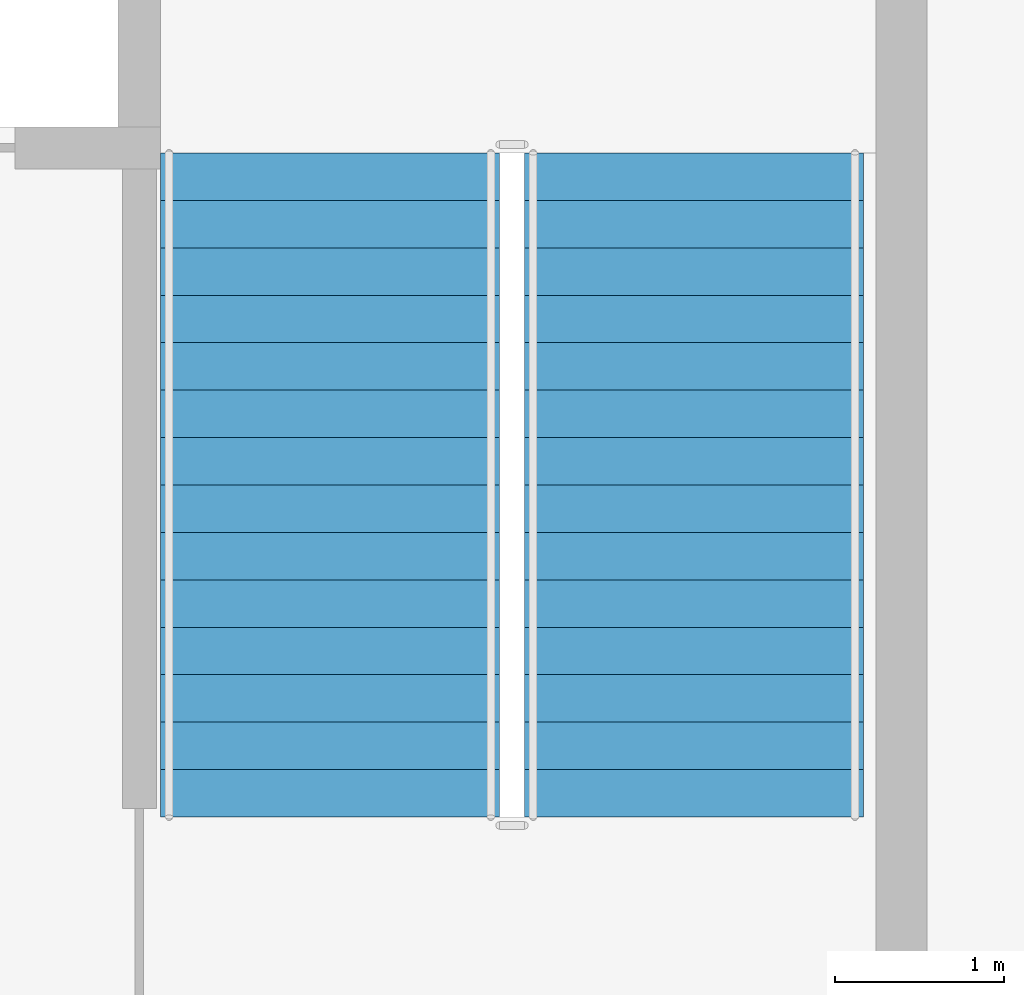
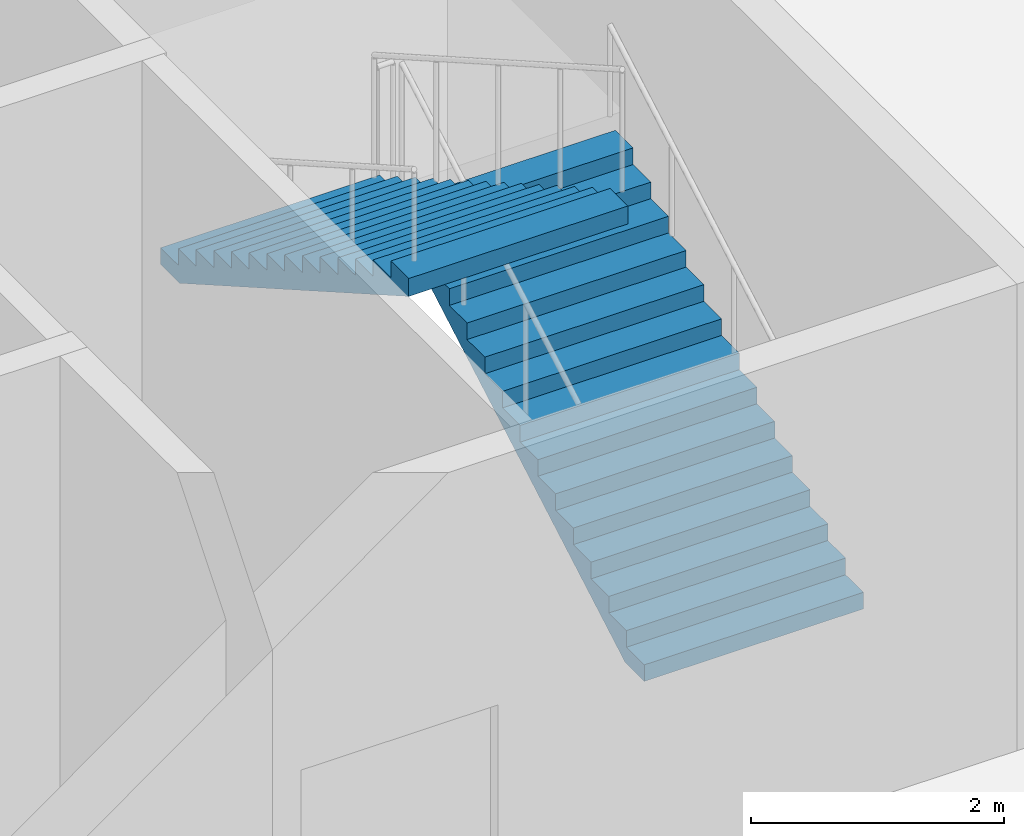
# One storey, part 10 of 13: 2 stair flights, 1 element without a shape of its own.
"""IFC4 building model written with IfcOpenShell, lengths in metres."""

from ifc_helpers import new_model, si_unit, direction, frame, origin, place, context, subcontext, project, spatial, polygons, material, type_object, element, aggregate, save


model = new_model("IFC4")

# Units and contexts
model_context = context("Model", 3, precision=1e-05, world=origin(), true_north=direction((0.0, 1.0)))
body_context = subcontext(model_context, "Body", "Model", "MODEL_VIEW")
ifc_project = project(units=[si_unit("LENGTHUNIT", "METRE"), si_unit("AREAUNIT", "SQUARE_METRE"), si_unit("VOLUMEUNIT", "CUBIC_METRE"), si_unit("PLANEANGLEUNIT", "RADIAN"), si_unit("MASSUNIT", "GRAM", prefix="KILO")], contexts=[model_context])

# Site, building, storey
site_placement = place(None, origin())
site = spatial("IfcSite", under=ifc_project, at=site_placement, CompositionType="ELEMENT")
building_placement = place(site_placement, origin())
building = spatial("IfcBuilding", under=site, at=building_placement, Name="Caravel Reach Hotel and Residences", CompositionType="ELEMENT")
storey_placement = place(building_placement, frame((0.0, 0.0, 28.800048828125)))
storey = spatial("IfcBuildingStorey", under=building, at=storey_placement, Name="L05", CompositionType="ELEMENT", Elevation=28.800048828125)

# Stair, stair flights
ifc_material_1 = material(Name="Concrete C40", Category="concrete")
stair_type = type_object("IfcStairType", Name="Core stair", PredefinedType="HALF_TURN_STAIR", material=ifc_material_1)
stair_placement = place(storey_placement, origin())
stair = element("IfcStair", 1, at=stair_placement, inside=storey, type_object=stair_type, Name="L05 Exit stair B", PredefinedType="HALF_TURN_STAIR")
ifc_material_2 = material(Name="Concrete C40", Category="concrete")
stair_flight_type = type_object("IfcStairFlightType", Name="Core stair flight", PredefinedType="STRAIGHT", material=ifc_material_2)
stair_flight_1_placement = place(storey_placement, frame((43.77490234375, 24.64990234375, 0.0), z_axis=(0.0, 0.0, 1.0), x_axis=(0.0, 1.0, 0.0)))
stair_flight_1 = element("IfcStairFlight", 2, at=stair_flight_1_placement, type_object=stair_flight_type, Name="ST-B flight 1", NumberOfRisers=15, NumberOfTreads=14, PredefinedType="STRAIGHT", RiserHeight=0.16, TreadLength=0.28, context=body_context, shape_type="Tessellation", body=[
    polygons([(0.30213783309663755, 1.0, 0.0), (0.30213783309663755, 0.6666666666666667, 0.0), (0.30213783309663755, 0.33333333333333337, 0.0), (0.30213783309663755, 0.0, 0.0), (0.30213783309663755, -0.33333333333333326, 0.0), (0.30213783309663755, -0.6666666666666667, 0.0), (0.30213783309663755, -1.0, 0.0), (3.9210000000000003, 1.0, 2.0673498096590643), (3.9210000000000003, 0.6666666666666667, 2.0673498096590643), (3.9210000000000003, 0.33333333333333337, 2.0673498096590643), (3.9210000000000003, 0.0, 2.0673498096590643), (3.9210000000000003, -0.33333333333333326, 2.0673498096590643), (3.9210000000000003, -0.6666666666666667, 2.0673498096590643), (3.9210000000000003, -1.0, 2.0673498096590643), (3.9210000000000003, 1.0, 2.24), (3.9210000000000003, 0.6666666666666667, 2.24), (3.9210000000000003, 0.33333333333333337, 2.24), (3.9210000000000003, 0.0, 2.24), (3.9210000000000003, -0.33333333333333326, 2.24), (3.9210000000000003, -0.6666666666666667, 2.24), (3.9210000000000003, -1.0, 2.24), (3.6400000000000006, 1.0, 2.24), (3.6400000000000006, 0.6666666666666667, 2.24), (3.6400000000000006, 0.33333333333333337, 2.24), (3.6400000000000006, 0.0, 2.24), (3.6400000000000006, -0.33333333333333326, 2.24), (3.6400000000000006, -0.6666666666666667, 2.24), (3.6400000000000006, -1.0, 2.24), (3.6400000000000006, 1.0, 2.08), (3.6400000000000006, 0.6666666666666667, 2.08), (3.6400000000000006, 0.33333333333333337, 2.08), (3.6400000000000006, 0.0, 2.08), (3.6400000000000006, -0.33333333333333326, 2.08), (3.6400000000000006, -0.6666666666666667, 2.08), (3.6400000000000006, -1.0, 2.08), (3.3600000000000003, 1.0, 2.08), (3.3600000000000003, 0.6666666666666667, 2.08), (3.3600000000000003, 0.33333333333333337, 2.08), (3.3600000000000003, 0.0, 2.08), (3.3600000000000003, -0.33333333333333326, 2.08), (3.3600000000000003, -0.6666666666666667, 2.08), (3.3600000000000003, -1.0, 2.08), (3.3600000000000003, 1.0, 1.92), (3.3600000000000003, 0.6666666666666667, 1.92), (3.3600000000000003, 0.33333333333333337, 1.92), (3.3600000000000003, 0.0, 1.92), (3.3600000000000003, -0.33333333333333326, 1.92), (3.3600000000000003, -0.6666666666666667, 1.92), (3.3600000000000003, -1.0, 1.92), (3.08, 1.0, 1.92), (3.08, 0.6666666666666667, 1.92), (3.08, 0.33333333333333337, 1.92), (3.08, 0.0, 1.92), (3.08, -0.33333333333333326, 1.92), (3.08, -0.6666666666666667, 1.92), (3.08, -1.0, 1.92), (3.08, 1.0, 1.76), (3.08, 0.6666666666666667, 1.76), (3.08, 0.33333333333333337, 1.76), (3.08, 0.0, 1.76), (3.08, -0.33333333333333326, 1.76), (3.08, -0.6666666666666667, 1.76), (3.08, -1.0, 1.76), (2.8000000000000003, 1.0, 1.76), (2.8000000000000003, 0.6666666666666667, 1.76), (2.8000000000000003, 0.33333333333333337, 1.76), (2.8000000000000003, 0.0, 1.76), (2.8000000000000003, -0.33333333333333326, 1.76), (2.8000000000000003, -0.6666666666666667, 1.76), (2.8000000000000003, -1.0, 1.76), (2.8000000000000003, 1.0, 1.6), (2.8000000000000003, 0.6666666666666667, 1.6), (2.8000000000000003, 0.33333333333333337, 1.6), (2.8000000000000003, 0.0, 1.6), (2.8000000000000003, -0.33333333333333326, 1.6), (2.8000000000000003, -0.6666666666666667, 1.6), (2.8000000000000003, -1.0, 1.6), (2.5200000000000005, 1.0, 1.6), (2.5200000000000005, 0.6666666666666667, 1.6), (2.5200000000000005, 0.33333333333333337, 1.6), (2.5200000000000005, 0.0, 1.6), (2.5200000000000005, -0.33333333333333326, 1.6), (2.5200000000000005, -0.6666666666666667, 1.6), (2.5200000000000005, -1.0, 1.6), (2.5200000000000005, 1.0, 1.44), (2.5200000000000005, 0.6666666666666667, 1.44), (2.5200000000000005, 0.33333333333333337, 1.44), (2.5200000000000005, 0.0, 1.44), (2.5200000000000005, -0.33333333333333326, 1.44), (2.5200000000000005, -0.6666666666666667, 1.44), (2.5200000000000005, -1.0, 1.44), (2.24, 1.0, 1.44), (2.24, 0.6666666666666667, 1.44), (2.24, 0.33333333333333337, 1.44), (2.24, 0.0, 1.44), (2.24, -0.33333333333333326, 1.44), (2.24, -0.6666666666666667, 1.44), (2.24, -1.0, 1.44), (2.24, 1.0, 1.28), (2.24, 0.6666666666666667, 1.28), (2.24, 0.33333333333333337, 1.28), (2.24, 0.0, 1.28), (2.24, -0.33333333333333326, 1.28), (2.24, -0.6666666666666667, 1.28), (2.24, -1.0, 1.28), (1.9600000000000002, 1.0, 1.28), (1.9600000000000002, 0.6666666666666667, 1.28), (1.9600000000000002, 0.33333333333333337, 1.28), (1.9600000000000002, 0.0, 1.28), (1.9600000000000002, -0.33333333333333326, 1.28), (1.9600000000000002, -0.6666666666666667, 1.28), (1.9600000000000002, -1.0, 1.28), (1.9600000000000002, 1.0, 1.12), (1.9600000000000002, 0.6666666666666667, 1.12), (1.9600000000000002, 0.33333333333333337, 1.12), (1.9600000000000002, 0.0, 1.12), (1.9600000000000002, -0.33333333333333326, 1.12), (1.9600000000000002, -0.6666666666666667, 1.12), (1.9600000000000002, -1.0, 1.12), (1.6800000000000002, 1.0, 1.12), (1.6800000000000002, 0.6666666666666667, 1.12), (1.6800000000000002, 0.33333333333333337, 1.12), (1.6800000000000002, 0.0, 1.12), (1.6800000000000002, -0.33333333333333326, 1.12), (1.6800000000000002, -0.6666666666666667, 1.12), (1.6800000000000002, -1.0, 1.12), (1.6800000000000002, 1.0, 0.96), (1.6800000000000002, 0.6666666666666667, 0.96), (1.6800000000000002, 0.33333333333333337, 0.96), (1.6800000000000002, 0.0, 0.96), (1.6800000000000002, -0.33333333333333326, 0.96), (1.6800000000000002, -0.6666666666666667, 0.96), (1.6800000000000002, -1.0, 0.96), (1.4000000000000001, 1.0, 0.96), (1.4000000000000001, 0.6666666666666667, 0.96), (1.4000000000000001, 0.33333333333333337, 0.96), (1.4000000000000001, 0.0, 0.96), (1.4000000000000001, -0.33333333333333326, 0.96), (1.4000000000000001, -0.6666666666666667, 0.96), (1.4000000000000001, -1.0, 0.96), (1.4000000000000001, 1.0, 0.8), (1.4000000000000001, 0.6666666666666667, 0.8), (1.4000000000000001, 0.33333333333333337, 0.8), (1.4000000000000001, 0.0, 0.8), (1.4000000000000001, -0.33333333333333326, 0.8), (1.4000000000000001, -0.6666666666666667, 0.8), (1.4000000000000001, -1.0, 0.8), (1.12, 1.0, 0.8), (1.12, 0.6666666666666667, 0.8), (1.12, 0.33333333333333337, 0.8), (1.12, 0.0, 0.8), (1.12, -0.33333333333333326, 0.8), (1.12, -0.6666666666666667, 0.8), (1.12, -1.0, 0.8), (1.12, 1.0, 0.64), (1.12, 0.6666666666666667, 0.64), (1.12, 0.33333333333333337, 0.64), (1.12, 0.0, 0.64), (1.12, -0.33333333333333326, 0.64), (1.12, -0.6666666666666667, 0.64), (1.12, -1.0, 0.64), (0.8400000000000001, 1.0, 0.64), (0.8400000000000001, 0.6666666666666667, 0.64), (0.8400000000000001, 0.33333333333333337, 0.64), (0.8400000000000001, 0.0, 0.64), (0.8400000000000001, -0.33333333333333326, 0.64), (0.8400000000000001, -0.6666666666666667, 0.64), (0.8400000000000001, -1.0, 0.64), (0.8400000000000001, 1.0, 0.48), (0.8400000000000001, 0.6666666666666667, 0.48), (0.8400000000000001, 0.33333333333333337, 0.48), (0.8400000000000001, 0.0, 0.48), (0.8400000000000001, -0.33333333333333326, 0.48), (0.8400000000000001, -0.6666666666666667, 0.48), (0.8400000000000001, -1.0, 0.48), (0.56, 1.0, 0.48), (0.56, 0.6666666666666667, 0.48), (0.56, 0.33333333333333337, 0.48), (0.56, 0.0, 0.48), (0.56, -0.33333333333333326, 0.48), (0.56, -0.6666666666666667, 0.48), (0.56, -1.0, 0.48), (0.56, 1.0, 0.32), (0.56, 0.6666666666666667, 0.32), (0.56, 0.33333333333333337, 0.32), (0.56, 0.0, 0.32), (0.56, -0.33333333333333326, 0.32), (0.56, -0.6666666666666667, 0.32), (0.56, -1.0, 0.32), (0.28, 1.0, 0.32), (0.28, 0.6666666666666667, 0.32), (0.28, 0.33333333333333337, 0.32), (0.28, 0.0, 0.32), (0.28, -0.33333333333333326, 0.32), (0.28, -0.6666666666666667, 0.32), (0.28, -1.0, 0.32), (0.28, 1.0, 0.16), (0.28, 0.6666666666666667, 0.16), (0.28, 0.33333333333333337, 0.16), (0.28, 0.0, 0.16), (0.28, -0.33333333333333326, 0.16), (0.28, -0.6666666666666667, 0.16), (0.28, -1.0, 0.16), (-0.001, 1.0, 0.16), (-0.001, 0.6666666666666667, 0.16), (-0.001, 0.33333333333333337, 0.16), (-0.001, 0.0, 0.16), (-0.001, -0.33333333333333326, 0.16), (-0.001, -0.6666666666666667, 0.16), (-0.001, -1.0, 0.16), (-0.001, 1.0, 0.0), (-0.001, 0.6666666666666667, 0.0), (-0.001, 0.33333333333333337, 0.0), (-0.001, 0.0, 0.0), (-0.001, -0.33333333333333326, 0.0), (-0.001, -0.6666666666666667, 0.0), (-0.001, -1.0, 0.0)], [[[211, 204, 197, 190, 183, 176, 169, 162, 155, 148, 141, 134, 127, 120, 113, 106, 99, 92, 85, 78, 71, 64, 57, 50, 43, 36, 29, 22, 15, 8, 1]], [[7, 14, 21, 28, 35, 42, 49, 56, 63, 70, 77, 84, 91, 98, 105, 112, 119, 126, 133, 140, 147, 154, 161, 168, 175, 182, 189, 196, 203, 210, 217]], [[1, 8, 9, 2]], [[2, 9, 10, 3]], [[3, 10, 11, 4]], [[4, 11, 12, 5]], [[5, 12, 13, 6]], [[6, 13, 14, 7]], [[8, 15, 16, 9]], [[9, 16, 17, 10]], [[10, 17, 18, 11]], [[11, 18, 19, 12]], [[12, 19, 20, 13]], [[13, 20, 21, 14]], [[15, 22, 23, 16]], [[16, 23, 24, 17]], [[17, 24, 25, 18]], [[18, 25, 26, 19]], [[19, 26, 27, 20]], [[20, 27, 28, 21]], [[22, 29, 30, 23]], [[23, 30, 31, 24]], [[24, 31, 32, 25]], [[25, 32, 33, 26]], [[26, 33, 34, 27]], [[27, 34, 35, 28]], [[29, 36, 37, 30]], [[30, 37, 38, 31]], [[31, 38, 39, 32]], [[32, 39, 40, 33]], [[33, 40, 41, 34]], [[34, 41, 42, 35]], [[36, 43, 44, 37]], [[37, 44, 45, 38]], [[38, 45, 46, 39]], [[39, 46, 47, 40]], [[40, 47, 48, 41]], [[41, 48, 49, 42]], [[43, 50, 51, 44]], [[44, 51, 52, 45]], [[45, 52, 53, 46]], [[46, 53, 54, 47]], [[47, 54, 55, 48]], [[48, 55, 56, 49]], [[50, 57, 58, 51]], [[51, 58, 59, 52]], [[52, 59, 60, 53]], [[53, 60, 61, 54]], [[54, 61, 62, 55]], [[55, 62, 63, 56]], [[57, 64, 65, 58]], [[58, 65, 66, 59]], [[59, 66, 67, 60]], [[60, 67, 68, 61]], [[61, 68, 69, 62]], [[62, 69, 70, 63]], [[64, 71, 72, 65]], [[65, 72, 73, 66]], [[66, 73, 74, 67]], [[67, 74, 75, 68]], [[68, 75, 76, 69]], [[69, 76, 77, 70]], [[71, 78, 79, 72]], [[72, 79, 80, 73]], [[73, 80, 81, 74]], [[74, 81, 82, 75]], [[75, 82, 83, 76]], [[76, 83, 84, 77]], [[78, 85, 86, 79]], [[79, 86, 87, 80]], [[80, 87, 88, 81]], [[81, 88, 89, 82]], [[82, 89, 90, 83]], [[83, 90, 91, 84]], [[85, 92, 93, 86]], [[86, 93, 94, 87]], [[87, 94, 95, 88]], [[88, 95, 96, 89]], [[89, 96, 97, 90]], [[90, 97, 98, 91]], [[92, 99, 100, 93]], [[93, 100, 101, 94]], [[94, 101, 102, 95]], [[95, 102, 103, 96]], [[96, 103, 104, 97]], [[97, 104, 105, 98]], [[99, 106, 107, 100]], [[100, 107, 108, 101]], [[101, 108, 109, 102]], [[102, 109, 110, 103]], [[103, 110, 111, 104]], [[104, 111, 112, 105]], [[106, 113, 114, 107]], [[107, 114, 115, 108]], [[108, 115, 116, 109]], [[109, 116, 117, 110]], [[110, 117, 118, 111]], [[111, 118, 119, 112]], [[113, 120, 121, 114]], [[114, 121, 122, 115]], [[115, 122, 123, 116]], [[116, 123, 124, 117]], [[117, 124, 125, 118]], [[118, 125, 126, 119]], [[120, 127, 128, 121]], [[121, 128, 129, 122]], [[122, 129, 130, 123]], [[123, 130, 131, 124]], [[124, 131, 132, 125]], [[125, 132, 133, 126]], [[127, 134, 135, 128]], [[128, 135, 136, 129]], [[129, 136, 137, 130]], [[130, 137, 138, 131]], [[131, 138, 139, 132]], [[132, 139, 140, 133]], [[134, 141, 142, 135]], [[135, 142, 143, 136]], [[136, 143, 144, 137]], [[137, 144, 145, 138]], [[138, 145, 146, 139]], [[139, 146, 147, 140]], [[141, 148, 149, 142]], [[142, 149, 150, 143]], [[143, 150, 151, 144]], [[144, 151, 152, 145]], [[145, 152, 153, 146]], [[146, 153, 154, 147]], [[148, 155, 156, 149]], [[149, 156, 157, 150]], [[150, 157, 158, 151]], [[151, 158, 159, 152]], [[152, 159, 160, 153]], [[153, 160, 161, 154]], [[155, 162, 163, 156]], [[156, 163, 164, 157]], [[157, 164, 165, 158]], [[158, 165, 166, 159]], [[159, 166, 167, 160]], [[160, 167, 168, 161]], [[162, 169, 170, 163]], [[163, 170, 171, 164]], [[164, 171, 172, 165]], [[165, 172, 173, 166]], [[166, 173, 174, 167]], [[167, 174, 175, 168]], [[169, 176, 177, 170]], [[170, 177, 178, 171]], [[171, 178, 179, 172]], [[172, 179, 180, 173]], [[173, 180, 181, 174]], [[174, 181, 182, 175]], [[176, 183, 184, 177]], [[177, 184, 185, 178]], [[178, 185, 186, 179]], [[179, 186, 187, 180]], [[180, 187, 188, 181]], [[181, 188, 189, 182]], [[183, 190, 191, 184]], [[184, 191, 192, 185]], [[185, 192, 193, 186]], [[186, 193, 194, 187]], [[187, 194, 195, 188]], [[188, 195, 196, 189]], [[190, 197, 198, 191]], [[191, 198, 199, 192]], [[192, 199, 200, 193]], [[193, 200, 201, 194]], [[194, 201, 202, 195]], [[195, 202, 203, 196]], [[197, 204, 205, 198]], [[198, 205, 206, 199]], [[199, 206, 207, 200]], [[200, 207, 208, 201]], [[201, 208, 209, 202]], [[202, 209, 210, 203]], [[204, 211, 212, 205]], [[205, 212, 213, 206]], [[206, 213, 214, 207]], [[207, 214, 215, 208]], [[208, 215, 216, 209]], [[209, 216, 217, 210]], [[211, 1, 2, 212]], [[212, 2, 3, 213]], [[213, 3, 4, 214]], [[214, 4, 5, 215]], [[215, 5, 6, 216]], [[216, 6, 7, 217]]], closed=True),
])
stair_flight_2_placement = place(storey_placement, frame((41.625, 28.570068359375, 2.39990234375), z_axis=(0.0, 0.0, 1.0), x_axis=(0.0, -1.0, 0.0)))
stair_flight_2 = element("IfcStairFlight", 3, at=stair_flight_2_placement, type_object=stair_flight_type, Name="ST-B flight 2", NumberOfRisers=15, NumberOfTreads=14, PredefinedType="STRAIGHT", RiserHeight=0.16, TreadLength=0.28, context=body_context, shape_type="Tessellation", body=[
    polygons([(0.30213783309663755, 1.0, 0.0), (0.30213783309663755, 0.6666666666666667, 0.0), (0.30213783309663755, 0.33333333333333337, 0.0), (0.30213783309663755, 0.0, 0.0), (0.30213783309663755, -0.33333333333333326, 0.0), (0.30213783309663755, -0.6666666666666667, 0.0), (0.30213783309663755, -1.0, 0.0), (3.9210000000000003, 1.0, 2.0673498096590643), (3.9210000000000003, 0.6666666666666667, 2.0673498096590643), (3.9210000000000003, 0.33333333333333337, 2.0673498096590643), (3.9210000000000003, 0.0, 2.0673498096590643), (3.9210000000000003, -0.33333333333333326, 2.0673498096590643), (3.9210000000000003, -0.6666666666666667, 2.0673498096590643), (3.9210000000000003, -1.0, 2.0673498096590643), (3.9210000000000003, 1.0, 2.24), (3.9210000000000003, 0.6666666666666667, 2.24), (3.9210000000000003, 0.33333333333333337, 2.24), (3.9210000000000003, 0.0, 2.24), (3.9210000000000003, -0.33333333333333326, 2.24), (3.9210000000000003, -0.6666666666666667, 2.24), (3.9210000000000003, -1.0, 2.24), (3.6400000000000006, 1.0, 2.24), (3.6400000000000006, 0.6666666666666667, 2.24), (3.6400000000000006, 0.33333333333333337, 2.24), (3.6400000000000006, 0.0, 2.24), (3.6400000000000006, -0.33333333333333326, 2.24), (3.6400000000000006, -0.6666666666666667, 2.24), (3.6400000000000006, -1.0, 2.24), (3.6400000000000006, 1.0, 2.08), (3.6400000000000006, 0.6666666666666667, 2.08), (3.6400000000000006, 0.33333333333333337, 2.08), (3.6400000000000006, 0.0, 2.08), (3.6400000000000006, -0.33333333333333326, 2.08), (3.6400000000000006, -0.6666666666666667, 2.08), (3.6400000000000006, -1.0, 2.08), (3.3600000000000003, 1.0, 2.08), (3.3600000000000003, 0.6666666666666667, 2.08), (3.3600000000000003, 0.33333333333333337, 2.08), (3.3600000000000003, 0.0, 2.08), (3.3600000000000003, -0.33333333333333326, 2.08), (3.3600000000000003, -0.6666666666666667, 2.08), (3.3600000000000003, -1.0, 2.08), (3.3600000000000003, 1.0, 1.92), (3.3600000000000003, 0.6666666666666667, 1.92), (3.3600000000000003, 0.33333333333333337, 1.92), (3.3600000000000003, 0.0, 1.92), (3.3600000000000003, -0.33333333333333326, 1.92), (3.3600000000000003, -0.6666666666666667, 1.92), (3.3600000000000003, -1.0, 1.92), (3.08, 1.0, 1.92), (3.08, 0.6666666666666667, 1.92), (3.08, 0.33333333333333337, 1.92), (3.08, 0.0, 1.92), (3.08, -0.33333333333333326, 1.92), (3.08, -0.6666666666666667, 1.92), (3.08, -1.0, 1.92), (3.08, 1.0, 1.76), (3.08, 0.6666666666666667, 1.76), (3.08, 0.33333333333333337, 1.76), (3.08, 0.0, 1.76), (3.08, -0.33333333333333326, 1.76), (3.08, -0.6666666666666667, 1.76), (3.08, -1.0, 1.76), (2.8000000000000003, 1.0, 1.76), (2.8000000000000003, 0.6666666666666667, 1.76), (2.8000000000000003, 0.33333333333333337, 1.76), (2.8000000000000003, 0.0, 1.76), (2.8000000000000003, -0.33333333333333326, 1.76), (2.8000000000000003, -0.6666666666666667, 1.76), (2.8000000000000003, -1.0, 1.76), (2.8000000000000003, 1.0, 1.6), (2.8000000000000003, 0.6666666666666667, 1.6), (2.8000000000000003, 0.33333333333333337, 1.6), (2.8000000000000003, 0.0, 1.6), (2.8000000000000003, -0.33333333333333326, 1.6), (2.8000000000000003, -0.6666666666666667, 1.6), (2.8000000000000003, -1.0, 1.6), (2.5200000000000005, 1.0, 1.6), (2.5200000000000005, 0.6666666666666667, 1.6), (2.5200000000000005, 0.33333333333333337, 1.6), (2.5200000000000005, 0.0, 1.6), (2.5200000000000005, -0.33333333333333326, 1.6), (2.5200000000000005, -0.6666666666666667, 1.6), (2.5200000000000005, -1.0, 1.6), (2.5200000000000005, 1.0, 1.44), (2.5200000000000005, 0.6666666666666667, 1.44), (2.5200000000000005, 0.33333333333333337, 1.44), (2.5200000000000005, 0.0, 1.44), (2.5200000000000005, -0.33333333333333326, 1.44), (2.5200000000000005, -0.6666666666666667, 1.44), (2.5200000000000005, -1.0, 1.44), (2.24, 1.0, 1.44), (2.24, 0.6666666666666667, 1.44), (2.24, 0.33333333333333337, 1.44), (2.24, 0.0, 1.44), (2.24, -0.33333333333333326, 1.44), (2.24, -0.6666666666666667, 1.44), (2.24, -1.0, 1.44), (2.24, 1.0, 1.28), (2.24, 0.6666666666666667, 1.28), (2.24, 0.33333333333333337, 1.28), (2.24, 0.0, 1.28), (2.24, -0.33333333333333326, 1.28), (2.24, -0.6666666666666667, 1.28), (2.24, -1.0, 1.28), (1.9600000000000002, 1.0, 1.28), (1.9600000000000002, 0.6666666666666667, 1.28), (1.9600000000000002, 0.33333333333333337, 1.28), (1.9600000000000002, 0.0, 1.28), (1.9600000000000002, -0.33333333333333326, 1.28), (1.9600000000000002, -0.6666666666666667, 1.28), (1.9600000000000002, -1.0, 1.28), (1.9600000000000002, 1.0, 1.12), (1.9600000000000002, 0.6666666666666667, 1.12), (1.9600000000000002, 0.33333333333333337, 1.12), (1.9600000000000002, 0.0, 1.12), (1.9600000000000002, -0.33333333333333326, 1.12), (1.9600000000000002, -0.6666666666666667, 1.12), (1.9600000000000002, -1.0, 1.12), (1.6800000000000002, 1.0, 1.12), (1.6800000000000002, 0.6666666666666667, 1.12), (1.6800000000000002, 0.33333333333333337, 1.12), (1.6800000000000002, 0.0, 1.12), (1.6800000000000002, -0.33333333333333326, 1.12), (1.6800000000000002, -0.6666666666666667, 1.12), (1.6800000000000002, -1.0, 1.12), (1.6800000000000002, 1.0, 0.96), (1.6800000000000002, 0.6666666666666667, 0.96), (1.6800000000000002, 0.33333333333333337, 0.96), (1.6800000000000002, 0.0, 0.96), (1.6800000000000002, -0.33333333333333326, 0.96), (1.6800000000000002, -0.6666666666666667, 0.96), (1.6800000000000002, -1.0, 0.96), (1.4000000000000001, 1.0, 0.96), (1.4000000000000001, 0.6666666666666667, 0.96), (1.4000000000000001, 0.33333333333333337, 0.96), (1.4000000000000001, 0.0, 0.96), (1.4000000000000001, -0.33333333333333326, 0.96), (1.4000000000000001, -0.6666666666666667, 0.96), (1.4000000000000001, -1.0, 0.96), (1.4000000000000001, 1.0, 0.8), (1.4000000000000001, 0.6666666666666667, 0.8), (1.4000000000000001, 0.33333333333333337, 0.8), (1.4000000000000001, 0.0, 0.8), (1.4000000000000001, -0.33333333333333326, 0.8), (1.4000000000000001, -0.6666666666666667, 0.8), (1.4000000000000001, -1.0, 0.8), (1.12, 1.0, 0.8), (1.12, 0.6666666666666667, 0.8), (1.12, 0.33333333333333337, 0.8), (1.12, 0.0, 0.8), (1.12, -0.33333333333333326, 0.8), (1.12, -0.6666666666666667, 0.8), (1.12, -1.0, 0.8), (1.12, 1.0, 0.64), (1.12, 0.6666666666666667, 0.64), (1.12, 0.33333333333333337, 0.64), (1.12, 0.0, 0.64), (1.12, -0.33333333333333326, 0.64), (1.12, -0.6666666666666667, 0.64), (1.12, -1.0, 0.64), (0.8400000000000001, 1.0, 0.64), (0.8400000000000001, 0.6666666666666667, 0.64), (0.8400000000000001, 0.33333333333333337, 0.64), (0.8400000000000001, 0.0, 0.64), (0.8400000000000001, -0.33333333333333326, 0.64), (0.8400000000000001, -0.6666666666666667, 0.64), (0.8400000000000001, -1.0, 0.64), (0.8400000000000001, 1.0, 0.48), (0.8400000000000001, 0.6666666666666667, 0.48), (0.8400000000000001, 0.33333333333333337, 0.48), (0.8400000000000001, 0.0, 0.48), (0.8400000000000001, -0.33333333333333326, 0.48), (0.8400000000000001, -0.6666666666666667, 0.48), (0.8400000000000001, -1.0, 0.48), (0.56, 1.0, 0.48), (0.56, 0.6666666666666667, 0.48), (0.56, 0.33333333333333337, 0.48), (0.56, 0.0, 0.48), (0.56, -0.33333333333333326, 0.48), (0.56, -0.6666666666666667, 0.48), (0.56, -1.0, 0.48), (0.56, 1.0, 0.32), (0.56, 0.6666666666666667, 0.32), (0.56, 0.33333333333333337, 0.32), (0.56, 0.0, 0.32), (0.56, -0.33333333333333326, 0.32), (0.56, -0.6666666666666667, 0.32), (0.56, -1.0, 0.32), (0.28, 1.0, 0.32), (0.28, 0.6666666666666667, 0.32), (0.28, 0.33333333333333337, 0.32), (0.28, 0.0, 0.32), (0.28, -0.33333333333333326, 0.32), (0.28, -0.6666666666666667, 0.32), (0.28, -1.0, 0.32), (0.28, 1.0, 0.16), (0.28, 0.6666666666666667, 0.16), (0.28, 0.33333333333333337, 0.16), (0.28, 0.0, 0.16), (0.28, -0.33333333333333326, 0.16), (0.28, -0.6666666666666667, 0.16), (0.28, -1.0, 0.16), (-0.001, 1.0, 0.16), (-0.001, 0.6666666666666667, 0.16), (-0.001, 0.33333333333333337, 0.16), (-0.001, 0.0, 0.16), (-0.001, -0.33333333333333326, 0.16), (-0.001, -0.6666666666666667, 0.16), (-0.001, -1.0, 0.16), (-0.001, 1.0, 0.0), (-0.001, 0.6666666666666667, 0.0), (-0.001, 0.33333333333333337, 0.0), (-0.001, 0.0, 0.0), (-0.001, -0.33333333333333326, 0.0), (-0.001, -0.6666666666666667, 0.0), (-0.001, -1.0, 0.0)], [[[211, 204, 197, 190, 183, 176, 169, 162, 155, 148, 141, 134, 127, 120, 113, 106, 99, 92, 85, 78, 71, 64, 57, 50, 43, 36, 29, 22, 15, 8, 1]], [[7, 14, 21, 28, 35, 42, 49, 56, 63, 70, 77, 84, 91, 98, 105, 112, 119, 126, 133, 140, 147, 154, 161, 168, 175, 182, 189, 196, 203, 210, 217]], [[1, 8, 9, 2]], [[2, 9, 10, 3]], [[3, 10, 11, 4]], [[4, 11, 12, 5]], [[5, 12, 13, 6]], [[6, 13, 14, 7]], [[8, 15, 16, 9]], [[9, 16, 17, 10]], [[10, 17, 18, 11]], [[11, 18, 19, 12]], [[12, 19, 20, 13]], [[13, 20, 21, 14]], [[15, 22, 23, 16]], [[16, 23, 24, 17]], [[17, 24, 25, 18]], [[18, 25, 26, 19]], [[19, 26, 27, 20]], [[20, 27, 28, 21]], [[22, 29, 30, 23]], [[23, 30, 31, 24]], [[24, 31, 32, 25]], [[25, 32, 33, 26]], [[26, 33, 34, 27]], [[27, 34, 35, 28]], [[29, 36, 37, 30]], [[30, 37, 38, 31]], [[31, 38, 39, 32]], [[32, 39, 40, 33]], [[33, 40, 41, 34]], [[34, 41, 42, 35]], [[36, 43, 44, 37]], [[37, 44, 45, 38]], [[38, 45, 46, 39]], [[39, 46, 47, 40]], [[40, 47, 48, 41]], [[41, 48, 49, 42]], [[43, 50, 51, 44]], [[44, 51, 52, 45]], [[45, 52, 53, 46]], [[46, 53, 54, 47]], [[47, 54, 55, 48]], [[48, 55, 56, 49]], [[50, 57, 58, 51]], [[51, 58, 59, 52]], [[52, 59, 60, 53]], [[53, 60, 61, 54]], [[54, 61, 62, 55]], [[55, 62, 63, 56]], [[57, 64, 65, 58]], [[58, 65, 66, 59]], [[59, 66, 67, 60]], [[60, 67, 68, 61]], [[61, 68, 69, 62]], [[62, 69, 70, 63]], [[64, 71, 72, 65]], [[65, 72, 73, 66]], [[66, 73, 74, 67]], [[67, 74, 75, 68]], [[68, 75, 76, 69]], [[69, 76, 77, 70]], [[71, 78, 79, 72]], [[72, 79, 80, 73]], [[73, 80, 81, 74]], [[74, 81, 82, 75]], [[75, 82, 83, 76]], [[76, 83, 84, 77]], [[78, 85, 86, 79]], [[79, 86, 87, 80]], [[80, 87, 88, 81]], [[81, 88, 89, 82]], [[82, 89, 90, 83]], [[83, 90, 91, 84]], [[85, 92, 93, 86]], [[86, 93, 94, 87]], [[87, 94, 95, 88]], [[88, 95, 96, 89]], [[89, 96, 97, 90]], [[90, 97, 98, 91]], [[92, 99, 100, 93]], [[93, 100, 101, 94]], [[94, 101, 102, 95]], [[95, 102, 103, 96]], [[96, 103, 104, 97]], [[97, 104, 105, 98]], [[99, 106, 107, 100]], [[100, 107, 108, 101]], [[101, 108, 109, 102]], [[102, 109, 110, 103]], [[103, 110, 111, 104]], [[104, 111, 112, 105]], [[106, 113, 114, 107]], [[107, 114, 115, 108]], [[108, 115, 116, 109]], [[109, 116, 117, 110]], [[110, 117, 118, 111]], [[111, 118, 119, 112]], [[113, 120, 121, 114]], [[114, 121, 122, 115]], [[115, 122, 123, 116]], [[116, 123, 124, 117]], [[117, 124, 125, 118]], [[118, 125, 126, 119]], [[120, 127, 128, 121]], [[121, 128, 129, 122]], [[122, 129, 130, 123]], [[123, 130, 131, 124]], [[124, 131, 132, 125]], [[125, 132, 133, 126]], [[127, 134, 135, 128]], [[128, 135, 136, 129]], [[129, 136, 137, 130]], [[130, 137, 138, 131]], [[131, 138, 139, 132]], [[132, 139, 140, 133]], [[134, 141, 142, 135]], [[135, 142, 143, 136]], [[136, 143, 144, 137]], [[137, 144, 145, 138]], [[138, 145, 146, 139]], [[139, 146, 147, 140]], [[141, 148, 149, 142]], [[142, 149, 150, 143]], [[143, 150, 151, 144]], [[144, 151, 152, 145]], [[145, 152, 153, 146]], [[146, 153, 154, 147]], [[148, 155, 156, 149]], [[149, 156, 157, 150]], [[150, 157, 158, 151]], [[151, 158, 159, 152]], [[152, 159, 160, 153]], [[153, 160, 161, 154]], [[155, 162, 163, 156]], [[156, 163, 164, 157]], [[157, 164, 165, 158]], [[158, 165, 166, 159]], [[159, 166, 167, 160]], [[160, 167, 168, 161]], [[162, 169, 170, 163]], [[163, 170, 171, 164]], [[164, 171, 172, 165]], [[165, 172, 173, 166]], [[166, 173, 174, 167]], [[167, 174, 175, 168]], [[169, 176, 177, 170]], [[170, 177, 178, 171]], [[171, 178, 179, 172]], [[172, 179, 180, 173]], [[173, 180, 181, 174]], [[174, 181, 182, 175]], [[176, 183, 184, 177]], [[177, 184, 185, 178]], [[178, 185, 186, 179]], [[179, 186, 187, 180]], [[180, 187, 188, 181]], [[181, 188, 189, 182]], [[183, 190, 191, 184]], [[184, 191, 192, 185]], [[185, 192, 193, 186]], [[186, 193, 194, 187]], [[187, 194, 195, 188]], [[188, 195, 196, 189]], [[190, 197, 198, 191]], [[191, 198, 199, 192]], [[192, 199, 200, 193]], [[193, 200, 201, 194]], [[194, 201, 202, 195]], [[195, 202, 203, 196]], [[197, 204, 205, 198]], [[198, 205, 206, 199]], [[199, 206, 207, 200]], [[200, 207, 208, 201]], [[201, 208, 209, 202]], [[202, 209, 210, 203]], [[204, 211, 212, 205]], [[205, 212, 213, 206]], [[206, 213, 214, 207]], [[207, 214, 215, 208]], [[208, 215, 216, 209]], [[209, 216, 217, 210]], [[211, 1, 2, 212]], [[212, 2, 3, 213]], [[213, 3, 4, 214]], [[214, 4, 5, 215]], [[215, 5, 6, 216]], [[216, 6, 7, 217]]], closed=True),
])
aggregate(stair, [stair_flight_1, stair_flight_2])

save(model, "model.ifc")
